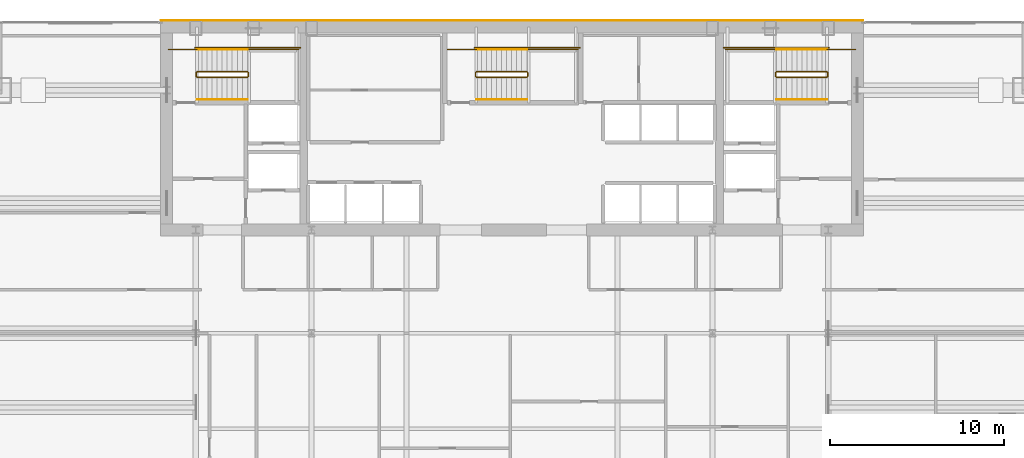
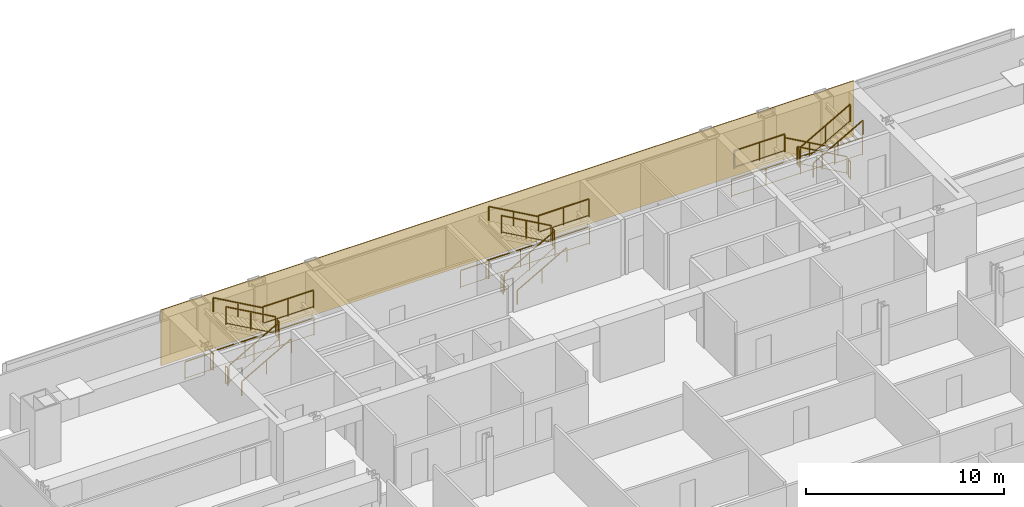
# One storey, part 30 of 30: 27 railings, 1 covering.
"""IFC4 building model written with IfcOpenShell, lengths in metres."""

from ifc_helpers import new_model, si_unit, direction, frame, origin, origin_2d, place, context, subcontext, project, spatial, polyline, rectangle, outline, extrude, material, layer, layer_set, type_object, element, save


model = new_model("IFC4")

# Units and contexts
model_context = context("Model", 3, precision=1e-05, world=origin(), true_north=direction((0.0, 1.0)))
body_context = subcontext(model_context, "Body", "Model", "MODEL_VIEW")
ifc_project = project(units=[si_unit("LENGTHUNIT", "METRE"), si_unit("AREAUNIT", "SQUARE_METRE"), si_unit("VOLUMEUNIT", "CUBIC_METRE"), si_unit("PLANEANGLEUNIT", "RADIAN"), si_unit("MASSUNIT", "GRAM", prefix="KILO")], contexts=[model_context])

# Site, building, storey
site_placement = place(None, origin())
site = spatial("IfcSite", under=ifc_project, at=site_placement, CompositionType="ELEMENT")
building_placement = place(site_placement, origin())
building = spatial("IfcBuilding", under=site, at=building_placement, Name="Khoronbel Lancet Exchange", CompositionType="ELEMENT")
storey_placement = place(building_placement, frame((0.0, 0.0, 132.60009765625)))
storey = spatial("IfcBuildingStorey", under=building, at=storey_placement, Name="L32", CompositionType="ELEMENT", Elevation=132.60009765625)

# Covering
ifc_material_1 = material(Name="Honed Egyptian Limestone & Bronze Rainscreen", Category="masonry")
ifc_layer = layer(ifc_material_1, 0.050048828125, Name="Honed Egyptian Limestone & Bronze Rainscreen")
ifc_layer_set = layer_set([ifc_layer], Name="Honed Egyptian Limestone & Bronze Rainscreen")
covering_type = type_object("IfcCoveringType", Name="COV-CLAD1", PredefinedType="CLADDING", material=ifc_layer_set)
covering_placement = place(storey_placement, origin())
element("IfcCovering", 1, at=covering_placement, inside=storey, type_object=covering_type, Name="Level L32 north rear-core stone and bronze rainscreen cladding", PredefinedType="CLADDING", context=body_context, shape_type="SweptSolid", body=[
    extrude(outline(polyline([(16.199951171875, 53.699951171875), (56.699951171875, 53.699951171875), (56.699951171875, 53.75), (16.199951171875, 53.75), (16.199951171875, 53.699951171875)])), origin(), (0.0, 0.0, 1.0), 3.43994140625),
])

# Railings
ifc_material_2 = material(Name="Painted Steel Balustrade", Category="steel")
railing_type_1 = type_object("IfcRailingType", Name="RL-STG110", PredefinedType="GUARDRAIL", material=ifc_material_2)
railing_1_placement = place(storey_placement, frame((18.300048828125, 50.449951171875, 0.16357421875)))
element("IfcRailing", 2, at=railing_1_placement, inside=storey, type_object=railing_type_1, Name="L32 ST1 stair guard 1", PredefinedType="GUARDRAIL", context=body_context, shape_type="SweptSolid", body=[
    extrude(rectangle(XDim=0.048095703125, YDim=0.048095703125, at=origin_2d()), frame((0.0, 0.0, 1.09619140625), z_axis=(0.870928581787, 0.0, 0.491409610636), x_axis=(0.0, 1.0, 0.0)), (0.0, 0.0, 1.0), 3.32958984375),
    extrude(rectangle(XDim=0.02392578125, YDim=0.02392578125, at=origin_2d()), frame((0.0, 0.0, 0.080078125), z_axis=(0.870928581787, 0.0, 0.491409610636), x_axis=(0.0, 1.0, 0.0)), (0.0, 0.0, 1.0), 3.32958984375),
    extrude(rectangle(XDim=0.0419921875, YDim=0.0419921875, at=origin_2d()), origin(), (0.0, 0.0, 1.0), 1.072021484375),
    extrude(rectangle(XDim=0.0419921875, YDim=0.0419921875, at=origin_2d()), frame((1.449951171875, 0.0, 0.818115234375)), (0.0, 0.0, 1.0), 1.072021484375),
    extrude(rectangle(XDim=0.0419921875, YDim=0.0419921875, at=origin_2d()), frame((2.89990234375, 0.0, 1.63623046875)), (0.0, 0.0, 1.0), 1.072021484375),
])
railing_2_placement = place(storey_placement, frame((21.25, 50.5, 1.7998046875)))
element("IfcRailing", 3, at=railing_2_placement, inside=storey, type_object=railing_type_1, Name="L32 ST1 stair guard 2", PredefinedType="GUARDRAIL", context=body_context, shape_type="SweptSolid", body=[
    extrude(rectangle(XDim=0.048095703125, YDim=0.048095703125, at=origin_2d()), frame((0.0, 0.0, 1.09619140625), z_axis=(0.0, 1.0, 0.0), x_axis=(-1.0, 0.0, 0.0)), (0.0, 0.0, 1.0), 0.219970703125),
    extrude(rectangle(XDim=0.02392578125, YDim=0.02392578125, at=origin_2d()), frame((0.0, 0.0, 0.080078125), z_axis=(0.0, 1.0, 0.0), x_axis=(-1.0, 0.0, 0.0)), (0.0, 0.0, 1.0), 0.219970703125),
    extrude(rectangle(XDim=0.0419921875, YDim=0.0419921875, at=origin_2d()), origin(), (0.0, 0.0, 1.0), 1.072021484375),
    extrude(rectangle(XDim=0.0419921875, YDim=0.0419921875, at=origin_2d()), frame((0.0, 0.219970703125, 0.0)), (0.0, 0.0, 1.0), 1.072021484375),
])
railing_3_placement = place(storey_placement, frame((21.199951171875, 52.050048828125, 1.7998046875)))
element("IfcRailing", 4, at=railing_3_placement, inside=storey, type_object=railing_type_1, Name="L32 ST1 stair guard 3", PredefinedType="GUARDRAIL", context=body_context, shape_type="SweptSolid", body=[
    extrude(rectangle(XDim=0.048095703125, YDim=0.048095703125, at=origin_2d()), frame((0.0, 0.0, 1.09619140625), z_axis=(1.0, 0.0, 0.0), x_axis=(0.0, 1.0, 0.0)), (0.0, 0.0, 1.0), 2.949951171875),
    extrude(rectangle(XDim=0.02392578125, YDim=0.02392578125, at=origin_2d()), frame((0.0, 0.0, 0.080078125), z_axis=(1.0, 0.0, 0.0), x_axis=(0.0, 1.0, 0.0)), (0.0, 0.0, 1.0), 2.949951171875),
    extrude(rectangle(XDim=0.0419921875, YDim=0.0419921875, at=origin_2d()), origin(), (0.0, 0.0, 1.0), 1.072021484375),
    extrude(rectangle(XDim=0.0419921875, YDim=0.0419921875, at=origin_2d()), frame((1.47509765625, 0.0, 0.0)), (0.0, 0.0, 1.0), 1.072021484375),
    extrude(rectangle(XDim=0.0419921875, YDim=0.0419921875, at=origin_2d()), frame((2.949951171875, 0.0, 0.0)), (0.0, 0.0, 1.0), 1.072021484375),
])
railing_4_placement = place(storey_placement, frame((21.199951171875, 50.77001953125, 1.963623046875)))
element("IfcRailing", 5, at=railing_4_placement, inside=storey, type_object=railing_type_1, Name="L32 ST1 stair guard 4", PredefinedType="GUARDRAIL", context=body_context, shape_type="SweptSolid", body=[
    extrude(rectangle(XDim=0.048095703125, YDim=0.048095703125, at=origin_2d()), frame((0.0, 0.0, 1.09619140625), z_axis=(-0.870928581787, 0.0, 0.491409610636), x_axis=(0.0, -1.0, 0.0)), (0.0, 0.0, 1.0), 3.32958984375),
    extrude(rectangle(XDim=0.02392578125, YDim=0.02392578125, at=origin_2d()), frame((0.0, 0.0, 0.080078125), z_axis=(-0.870928581787, 0.0, 0.491409610636), x_axis=(0.0, -1.0, 0.0)), (0.0, 0.0, 1.0), 3.32958984375),
    extrude(rectangle(XDim=0.0419921875, YDim=0.0419921875, at=origin_2d()), origin(), (0.0, 0.0, 1.0), 1.072021484375),
    extrude(rectangle(XDim=0.0419921875, YDim=0.0419921875, at=origin_2d()), frame((-1.449951171875, 0.0, 0.818115234375)), (0.0, 0.0, 1.0), 1.072021484375),
    extrude(rectangle(XDim=0.0419921875, YDim=0.0419921875, at=origin_2d()), frame((-2.89990234375, 0.0, 1.63623046875)), (0.0, 0.0, 1.0), 1.072021484375),
])
railing_5_placement = place(storey_placement, frame((18.25, 50.5, 0.0)))
element("IfcRailing", 6, at=railing_5_placement, inside=storey, type_object=railing_type_1, Name="L32 ST1 stair guard 5", PredefinedType="GUARDRAIL", context=body_context, shape_type="SweptSolid", body=[
    extrude(rectangle(XDim=0.048095703125, YDim=0.048095703125, at=origin_2d()), frame((0.0, 0.0, 1.09619140625), z_axis=(0.0, 1.0, 0.0), x_axis=(-1.0, 0.0, 0.0)), (0.0, 0.0, 1.0), 0.219970703125),
    extrude(rectangle(XDim=0.02392578125, YDim=0.02392578125, at=origin_2d()), frame((0.0, 0.0, 0.080078125), z_axis=(0.0, 1.0, 0.0), x_axis=(-1.0, 0.0, 0.0)), (0.0, 0.0, 1.0), 0.219970703125),
    extrude(rectangle(XDim=0.0419921875, YDim=0.0419921875, at=origin_2d()), origin(), (0.0, 0.0, 1.0), 1.072021484375),
    extrude(rectangle(XDim=0.0419921875, YDim=0.0419921875, at=origin_2d()), frame((0.0, 0.219970703125, 0.0)), (0.0, 0.0, 1.0), 1.072021484375),
])
railing_6_placement = place(storey_placement, frame((16.64990234375, 52.050048828125, 0.0)))
element("IfcRailing", 7, at=railing_6_placement, inside=storey, type_object=railing_type_1, Name="L32 ST1 stair guard 6", PredefinedType="GUARDRAIL", context=body_context, shape_type="SweptSolid", body=[
    extrude(rectangle(XDim=0.048095703125, YDim=0.048095703125, at=origin_2d()), frame((0.0, 0.0, 1.09619140625), z_axis=(1.0, 0.0, 0.0), x_axis=(0.0, 1.0, 0.0)), (0.0, 0.0, 1.0), 1.650146484375),
    extrude(rectangle(XDim=0.02392578125, YDim=0.02392578125, at=origin_2d()), frame((0.0, 0.0, 0.080078125), z_axis=(1.0, 0.0, 0.0), x_axis=(0.0, 1.0, 0.0)), (0.0, 0.0, 1.0), 1.650146484375),
    extrude(rectangle(XDim=0.0419921875, YDim=0.0419921875, at=origin_2d()), origin(), (0.0, 0.0, 1.0), 1.072021484375),
    extrude(rectangle(XDim=0.0419921875, YDim=0.0419921875, at=origin_2d()), frame((1.650146484375, 0.0, 0.0)), (0.0, 0.0, 1.0), 1.072021484375),
])
railing_7_placement = place(storey_placement, frame((18.199951171875, 52.14990234375, 0.0)))
element("IfcRailing", 8, at=railing_7_placement, inside=storey, type_object=railing_type_1, Name="L32 ST1 stair guard 7", PredefinedType="GUARDRAIL", context=body_context, shape_type="SweptSolid", body=[
    extrude(rectangle(XDim=0.048095703125, YDim=0.048095703125, at=origin_2d()), frame((0.0, 0.0, 1.09619140625), z_axis=(1.0, 0.0, 0.0), x_axis=(0.0, 1.0, 0.0)), (0.0, 0.0, 1.0), 6.050048828125),
    extrude(rectangle(XDim=0.02392578125, YDim=0.02392578125, at=origin_2d()), frame((0.0, 0.0, 0.080078125), z_axis=(1.0, 0.0, 0.0), x_axis=(0.0, 1.0, 0.0)), (0.0, 0.0, 1.0), 6.050048828125),
    extrude(rectangle(XDim=0.0419921875, YDim=0.0419921875, at=origin_2d()), origin(), (0.0, 0.0, 1.0), 1.072021484375),
    extrude(rectangle(XDim=0.0419921875, YDim=0.0419921875, at=origin_2d()), frame((2.0166015625, 0.0, 0.0)), (0.0, 0.0, 1.0), 1.072021484375),
    extrude(rectangle(XDim=0.0419921875, YDim=0.0419921875, at=origin_2d()), frame((4.033447265625, 0.0, 0.0)), (0.0, 0.0, 1.0), 1.072021484375),
    extrude(rectangle(XDim=0.0419921875, YDim=0.0419921875, at=origin_2d()), frame((6.050048828125, 0.0, 0.0)), (0.0, 0.0, 1.0), 1.072021484375),
])
railing_8_placement = place(storey_placement, frame((54.60009765625, 50.77001953125, 0.16357421875)))
element("IfcRailing", 9, at=railing_8_placement, inside=storey, type_object=railing_type_1, Name="L32 ST2 stair guard 1", PredefinedType="GUARDRAIL", context=body_context, shape_type="SweptSolid", body=[
    extrude(rectangle(XDim=0.048095703125, YDim=0.048095703125, at=origin_2d()), frame((0.0, 0.0, 1.09619140625), z_axis=(-0.870946286338, 0.0, 0.49137823142), x_axis=(0.0, -1.0, 0.0)), (0.0, 0.0, 1.0), 3.329833984375),
    extrude(rectangle(XDim=0.02392578125, YDim=0.02392578125, at=origin_2d()), frame((0.0, 0.0, 0.080078125), z_axis=(-0.870946286338, 0.0, 0.49137823142), x_axis=(0.0, -1.0, 0.0)), (0.0, 0.0, 1.0), 3.329833984375),
    extrude(rectangle(XDim=0.0419921875, YDim=0.0419921875, at=origin_2d()), origin(), (0.0, 0.0, 1.0), 1.072021484375),
    extrude(rectangle(XDim=0.0419921875, YDim=0.0419921875, at=origin_2d()), frame((-1.4501953125, 0.0, 0.818115234375)), (0.0, 0.0, 1.0), 1.072021484375),
    extrude(rectangle(XDim=0.0419921875, YDim=0.0419921875, at=origin_2d()), frame((-2.900146484375, 0.0, 1.63623046875)), (0.0, 0.0, 1.0), 1.072021484375),
])
railing_9_placement = place(storey_placement, frame((51.64990234375, 50.719970703125, 1.7998046875)))
element("IfcRailing", 10, at=railing_9_placement, inside=storey, type_object=railing_type_1, Name="L32 ST2 stair guard 2", PredefinedType="GUARDRAIL", context=body_context, shape_type="SweptSolid", body=[
    extrude(rectangle(XDim=0.048095703125, YDim=0.048095703125, at=origin_2d()), frame((0.0, 0.0, 1.09619140625), z_axis=(0.0, -1.0, 0.0), x_axis=(1.0, 0.0, 0.0)), (0.0, 0.0, 1.0), 0.219970703125),
    extrude(rectangle(XDim=0.02392578125, YDim=0.02392578125, at=origin_2d()), frame((0.0, 0.0, 0.080078125), z_axis=(0.0, -1.0, 0.0), x_axis=(1.0, 0.0, 0.0)), (0.0, 0.0, 1.0), 0.219970703125),
    extrude(rectangle(XDim=0.0419921875, YDim=0.0419921875, at=origin_2d()), origin(), (0.0, 0.0, 1.0), 1.072021484375),
    extrude(rectangle(XDim=0.0419921875, YDim=0.0419921875, at=origin_2d()), frame((0.0, -0.219970703125, 0.0)), (0.0, 0.0, 1.0), 1.072021484375),
])
railing_10_placement = place(storey_placement, frame((51.699951171875, 52.050048828125, 1.7998046875)))
element("IfcRailing", 11, at=railing_10_placement, inside=storey, type_object=railing_type_1, Name="L32 ST2 stair guard 3", PredefinedType="GUARDRAIL", context=body_context, shape_type="SweptSolid", body=[
    extrude(rectangle(XDim=0.048095703125, YDim=0.048095703125, at=origin_2d()), frame((0.0, 0.0, 1.09619140625), z_axis=(-1.0, 0.0, 0.0), x_axis=(0.0, -1.0, 0.0)), (0.0, 0.0, 1.0), 2.949951171875),
    extrude(rectangle(XDim=0.02392578125, YDim=0.02392578125, at=origin_2d()), frame((0.0, 0.0, 0.080078125), z_axis=(-1.0, 0.0, 0.0), x_axis=(0.0, -1.0, 0.0)), (0.0, 0.0, 1.0), 2.949951171875),
    extrude(rectangle(XDim=0.0419921875, YDim=0.0419921875, at=origin_2d()), origin(), (0.0, 0.0, 1.0), 1.072021484375),
    extrude(rectangle(XDim=0.0419921875, YDim=0.0419921875, at=origin_2d()), frame((-1.47509765625, 0.0, 0.0)), (0.0, 0.0, 1.0), 1.072021484375),
    extrude(rectangle(XDim=0.0419921875, YDim=0.0419921875, at=origin_2d()), frame((-2.949951171875, 0.0, 0.0)), (0.0, 0.0, 1.0), 1.072021484375),
])
railing_11_placement = place(storey_placement, frame((51.699951171875, 50.449951171875, 1.963623046875)))
element("IfcRailing", 12, at=railing_11_placement, inside=storey, type_object=railing_type_1, Name="L32 ST2 stair guard 4", PredefinedType="GUARDRAIL", context=body_context, shape_type="SweptSolid", body=[
    extrude(rectangle(XDim=0.048095703125, YDim=0.048095703125, at=origin_2d()), frame((0.0, 0.0, 1.09619140625), z_axis=(0.870946286338, 0.0, 0.49137823142), x_axis=(0.0, 1.0, 0.0)), (0.0, 0.0, 1.0), 3.329833984375),
    extrude(rectangle(XDim=0.02392578125, YDim=0.02392578125, at=origin_2d()), frame((0.0, 0.0, 0.080078125), z_axis=(0.870946286338, 0.0, 0.49137823142), x_axis=(0.0, 1.0, 0.0)), (0.0, 0.0, 1.0), 3.329833984375),
    extrude(rectangle(XDim=0.0419921875, YDim=0.0419921875, at=origin_2d()), origin(), (0.0, 0.0, 1.0), 1.072021484375),
    extrude(rectangle(XDim=0.0419921875, YDim=0.0419921875, at=origin_2d()), frame((1.4501953125, 0.0, 0.818115234375)), (0.0, 0.0, 1.0), 1.072021484375),
    extrude(rectangle(XDim=0.0419921875, YDim=0.0419921875, at=origin_2d()), frame((2.900146484375, 0.0, 1.63623046875)), (0.0, 0.0, 1.0), 1.072021484375),
])
railing_12_placement = place(storey_placement, frame((54.64990234375, 50.719970703125, 0.0)))
element("IfcRailing", 13, at=railing_12_placement, inside=storey, type_object=railing_type_1, Name="L32 ST2 stair guard 5", PredefinedType="GUARDRAIL", context=body_context, shape_type="SweptSolid", body=[
    extrude(rectangle(XDim=0.048095703125, YDim=0.048095703125, at=origin_2d()), frame((0.0, 0.0, 1.09619140625), z_axis=(0.0, -1.0, 0.0), x_axis=(1.0, 0.0, 0.0)), (0.0, 0.0, 1.0), 0.219970703125),
    extrude(rectangle(XDim=0.02392578125, YDim=0.02392578125, at=origin_2d()), frame((0.0, 0.0, 0.080078125), z_axis=(0.0, -1.0, 0.0), x_axis=(1.0, 0.0, 0.0)), (0.0, 0.0, 1.0), 0.219970703125),
    extrude(rectangle(XDim=0.0419921875, YDim=0.0419921875, at=origin_2d()), origin(), (0.0, 0.0, 1.0), 1.072021484375),
    extrude(rectangle(XDim=0.0419921875, YDim=0.0419921875, at=origin_2d()), frame((0.0, -0.219970703125, 0.0)), (0.0, 0.0, 1.0), 1.072021484375),
])
railing_13_placement = place(storey_placement, frame((56.25, 52.050048828125, 0.0)))
element("IfcRailing", 14, at=railing_13_placement, inside=storey, type_object=railing_type_1, Name="L32 ST2 stair guard 6", PredefinedType="GUARDRAIL", context=body_context, shape_type="SweptSolid", body=[
    extrude(rectangle(XDim=0.048095703125, YDim=0.048095703125, at=origin_2d()), frame((0.0, 0.0, 1.09619140625), z_axis=(-1.0, 0.0, 0.0), x_axis=(0.0, -1.0, 0.0)), (0.0, 0.0, 1.0), 1.64990234375),
    extrude(rectangle(XDim=0.02392578125, YDim=0.02392578125, at=origin_2d()), frame((0.0, 0.0, 0.080078125), z_axis=(-1.0, 0.0, 0.0), x_axis=(0.0, -1.0, 0.0)), (0.0, 0.0, 1.0), 1.64990234375),
    extrude(rectangle(XDim=0.0419921875, YDim=0.0419921875, at=origin_2d()), origin(), (0.0, 0.0, 1.0), 1.072021484375),
    extrude(rectangle(XDim=0.0419921875, YDim=0.0419921875, at=origin_2d()), frame((-1.64990234375, 0.0, 0.0)), (0.0, 0.0, 1.0), 1.072021484375),
])
railing_14_placement = place(storey_placement, frame((54.699951171875, 52.14990234375, 0.0)))
element("IfcRailing", 15, at=railing_14_placement, inside=storey, type_object=railing_type_1, Name="L32 ST2 stair guard 7", PredefinedType="GUARDRAIL", context=body_context, shape_type="SweptSolid", body=[
    extrude(rectangle(XDim=0.048095703125, YDim=0.048095703125, at=origin_2d()), frame((0.0, 0.0, 1.09619140625), z_axis=(-1.0, 0.0, 0.0), x_axis=(0.0, -1.0, 0.0)), (0.0, 0.0, 1.0), 6.050048828125),
    extrude(rectangle(XDim=0.02392578125, YDim=0.02392578125, at=origin_2d()), frame((0.0, 0.0, 0.080078125), z_axis=(-1.0, 0.0, 0.0), x_axis=(0.0, -1.0, 0.0)), (0.0, 0.0, 1.0), 6.050048828125),
    extrude(rectangle(XDim=0.0419921875, YDim=0.0419921875, at=origin_2d()), origin(), (0.0, 0.0, 1.0), 1.072021484375),
    extrude(rectangle(XDim=0.0419921875, YDim=0.0419921875, at=origin_2d()), frame((-2.0166015625, 0.0, 0.0)), (0.0, 0.0, 1.0), 1.072021484375),
    extrude(rectangle(XDim=0.0419921875, YDim=0.0419921875, at=origin_2d()), frame((-4.033447265625, 0.0, 0.0)), (0.0, 0.0, 1.0), 1.072021484375),
    extrude(rectangle(XDim=0.0419921875, YDim=0.0419921875, at=origin_2d()), frame((-6.050048828125, 0.0, 0.0)), (0.0, 0.0, 1.0), 1.072021484375),
])
railing_15_placement = place(storey_placement, frame((34.39990234375, 50.449951171875, 0.16357421875)))
element("IfcRailing", 16, at=railing_15_placement, inside=storey, type_object=railing_type_1, Name="L32 ST3 stair guard 1", PredefinedType="GUARDRAIL", context=body_context, shape_type="SweptSolid", body=[
    extrude(rectangle(XDim=0.048095703125, YDim=0.048095703125, at=origin_2d()), frame((0.0, 0.0, 1.09619140625), z_axis=(0.870946286338, 0.0, 0.49137823142), x_axis=(0.0, 1.0, 0.0)), (0.0, 0.0, 1.0), 3.329833984375),
    extrude(rectangle(XDim=0.02392578125, YDim=0.02392578125, at=origin_2d()), frame((0.0, 0.0, 0.080078125), z_axis=(0.870946286338, 0.0, 0.49137823142), x_axis=(0.0, 1.0, 0.0)), (0.0, 0.0, 1.0), 3.329833984375),
    extrude(rectangle(XDim=0.0419921875, YDim=0.0419921875, at=origin_2d()), origin(), (0.0, 0.0, 1.0), 1.072021484375),
    extrude(rectangle(XDim=0.0419921875, YDim=0.0419921875, at=origin_2d()), frame((1.4501953125, 0.0, 0.818115234375)), (0.0, 0.0, 1.0), 1.072021484375),
    extrude(rectangle(XDim=0.0419921875, YDim=0.0419921875, at=origin_2d()), frame((2.900146484375, 0.0, 1.63623046875)), (0.0, 0.0, 1.0), 1.072021484375),
])
railing_16_placement = place(storey_placement, frame((37.35009765625, 50.5, 1.7998046875)))
element("IfcRailing", 17, at=railing_16_placement, inside=storey, type_object=railing_type_1, Name="L32 ST3 stair guard 2", PredefinedType="GUARDRAIL", context=body_context, shape_type="SweptSolid", body=[
    extrude(rectangle(XDim=0.048095703125, YDim=0.048095703125, at=origin_2d()), frame((0.0, 0.0, 1.09619140625), z_axis=(0.0, 1.0, 0.0), x_axis=(-1.0, 0.0, 0.0)), (0.0, 0.0, 1.0), 0.219970703125),
    extrude(rectangle(XDim=0.02392578125, YDim=0.02392578125, at=origin_2d()), frame((0.0, 0.0, 0.080078125), z_axis=(0.0, 1.0, 0.0), x_axis=(-1.0, 0.0, 0.0)), (0.0, 0.0, 1.0), 0.219970703125),
    extrude(rectangle(XDim=0.0419921875, YDim=0.0419921875, at=origin_2d()), origin(), (0.0, 0.0, 1.0), 1.072021484375),
    extrude(rectangle(XDim=0.0419921875, YDim=0.0419921875, at=origin_2d()), frame((0.0, 0.219970703125, 0.0)), (0.0, 0.0, 1.0), 1.072021484375),
])
railing_17_placement = place(storey_placement, frame((37.300048828125, 52.050048828125, 1.7998046875)))
element("IfcRailing", 18, at=railing_17_placement, inside=storey, type_object=railing_type_1, Name="L32 ST3 stair guard 3", PredefinedType="GUARDRAIL", context=body_context, shape_type="SweptSolid", body=[
    extrude(rectangle(XDim=0.048095703125, YDim=0.048095703125, at=origin_2d()), frame((0.0, 0.0, 1.09619140625), z_axis=(1.0, 0.0, 0.0), x_axis=(0.0, 1.0, 0.0)), (0.0, 0.0, 1.0), 2.949951171875),
    extrude(rectangle(XDim=0.02392578125, YDim=0.02392578125, at=origin_2d()), frame((0.0, 0.0, 0.080078125), z_axis=(1.0, 0.0, 0.0), x_axis=(0.0, 1.0, 0.0)), (0.0, 0.0, 1.0), 2.949951171875),
    extrude(rectangle(XDim=0.0419921875, YDim=0.0419921875, at=origin_2d()), origin(), (0.0, 0.0, 1.0), 1.072021484375),
    extrude(rectangle(XDim=0.0419921875, YDim=0.0419921875, at=origin_2d()), frame((1.47509765625, 0.0, 0.0)), (0.0, 0.0, 1.0), 1.072021484375),
    extrude(rectangle(XDim=0.0419921875, YDim=0.0419921875, at=origin_2d()), frame((2.949951171875, 0.0, 0.0)), (0.0, 0.0, 1.0), 1.072021484375),
])
railing_18_placement = place(storey_placement, frame((37.300048828125, 50.77001953125, 1.963623046875)))
element("IfcRailing", 19, at=railing_18_placement, inside=storey, type_object=railing_type_1, Name="L32 ST3 stair guard 4", PredefinedType="GUARDRAIL", context=body_context, shape_type="SweptSolid", body=[
    extrude(rectangle(XDim=0.048095703125, YDim=0.048095703125, at=origin_2d()), frame((0.0, 0.0, 1.09619140625), z_axis=(-0.870946286338, 0.0, 0.49137823142), x_axis=(0.0, -1.0, 0.0)), (0.0, 0.0, 1.0), 3.329833984375),
    extrude(rectangle(XDim=0.02392578125, YDim=0.02392578125, at=origin_2d()), frame((0.0, 0.0, 0.080078125), z_axis=(-0.870946286338, 0.0, 0.49137823142), x_axis=(0.0, -1.0, 0.0)), (0.0, 0.0, 1.0), 3.329833984375),
    extrude(rectangle(XDim=0.0419921875, YDim=0.0419921875, at=origin_2d()), origin(), (0.0, 0.0, 1.0), 1.072021484375),
    extrude(rectangle(XDim=0.0419921875, YDim=0.0419921875, at=origin_2d()), frame((-1.4501953125, 0.0, 0.818115234375)), (0.0, 0.0, 1.0), 1.072021484375),
    extrude(rectangle(XDim=0.0419921875, YDim=0.0419921875, at=origin_2d()), frame((-2.900146484375, 0.0, 1.63623046875)), (0.0, 0.0, 1.0), 1.072021484375),
])
railing_19_placement = place(storey_placement, frame((34.35009765625, 50.5, 0.0)))
element("IfcRailing", 20, at=railing_19_placement, inside=storey, type_object=railing_type_1, Name="L32 ST3 stair guard 5", PredefinedType="GUARDRAIL", context=body_context, shape_type="SweptSolid", body=[
    extrude(rectangle(XDim=0.048095703125, YDim=0.048095703125, at=origin_2d()), frame((0.0, 0.0, 1.09619140625), z_axis=(0.0, 1.0, 0.0), x_axis=(-1.0, 0.0, 0.0)), (0.0, 0.0, 1.0), 0.219970703125),
    extrude(rectangle(XDim=0.02392578125, YDim=0.02392578125, at=origin_2d()), frame((0.0, 0.0, 0.080078125), z_axis=(0.0, 1.0, 0.0), x_axis=(-1.0, 0.0, 0.0)), (0.0, 0.0, 1.0), 0.219970703125),
    extrude(rectangle(XDim=0.0419921875, YDim=0.0419921875, at=origin_2d()), origin(), (0.0, 0.0, 1.0), 1.072021484375),
    extrude(rectangle(XDim=0.0419921875, YDim=0.0419921875, at=origin_2d()), frame((0.0, 0.219970703125, 0.0)), (0.0, 0.0, 1.0), 1.072021484375),
])
railing_20_placement = place(storey_placement, frame((32.75, 52.050048828125, 0.0)))
element("IfcRailing", 21, at=railing_20_placement, inside=storey, type_object=railing_type_1, Name="L32 ST3 stair guard 6", PredefinedType="GUARDRAIL", context=body_context, shape_type="SweptSolid", body=[
    extrude(rectangle(XDim=0.048095703125, YDim=0.048095703125, at=origin_2d()), frame((0.0, 0.0, 1.09619140625), z_axis=(1.0, 0.0, 0.0), x_axis=(0.0, 1.0, 0.0)), (0.0, 0.0, 1.0), 1.64990234375),
    extrude(rectangle(XDim=0.02392578125, YDim=0.02392578125, at=origin_2d()), frame((0.0, 0.0, 0.080078125), z_axis=(1.0, 0.0, 0.0), x_axis=(0.0, 1.0, 0.0)), (0.0, 0.0, 1.0), 1.64990234375),
    extrude(rectangle(XDim=0.0419921875, YDim=0.0419921875, at=origin_2d()), origin(), (0.0, 0.0, 1.0), 1.072021484375),
    extrude(rectangle(XDim=0.0419921875, YDim=0.0419921875, at=origin_2d()), frame((1.64990234375, 0.0, 0.0)), (0.0, 0.0, 1.0), 1.072021484375),
])
railing_21_placement = place(storey_placement, frame((34.300048828125, 52.14990234375, 0.0)))
element("IfcRailing", 22, at=railing_21_placement, inside=storey, type_object=railing_type_1, Name="L32 ST3 stair guard 7", PredefinedType="GUARDRAIL", context=body_context, shape_type="SweptSolid", body=[
    extrude(rectangle(XDim=0.048095703125, YDim=0.048095703125, at=origin_2d()), frame((0.0, 0.0, 1.09619140625), z_axis=(1.0, 0.0, 0.0), x_axis=(0.0, 1.0, 0.0)), (0.0, 0.0, 1.0), 6.050048828125),
    extrude(rectangle(XDim=0.02392578125, YDim=0.02392578125, at=origin_2d()), frame((0.0, 0.0, 0.080078125), z_axis=(1.0, 0.0, 0.0), x_axis=(0.0, 1.0, 0.0)), (0.0, 0.0, 1.0), 6.050048828125),
    extrude(rectangle(XDim=0.0419921875, YDim=0.0419921875, at=origin_2d()), origin(), (0.0, 0.0, 1.0), 1.072021484375),
    extrude(rectangle(XDim=0.0419921875, YDim=0.0419921875, at=origin_2d()), frame((2.0166015625, 0.0, 0.0)), (0.0, 0.0, 1.0), 1.072021484375),
    extrude(rectangle(XDim=0.0419921875, YDim=0.0419921875, at=origin_2d()), frame((4.033447265625, 0.0, 0.0)), (0.0, 0.0, 1.0), 1.072021484375),
    extrude(rectangle(XDim=0.0419921875, YDim=0.0419921875, at=origin_2d()), frame((6.050048828125, 0.0, 0.0)), (0.0, 0.0, 1.0), 1.072021484375),
])
ifc_material_3 = material(Name="Brushed Stainless Steel 316", Category="steel")
railing_type_2 = type_object("IfcRailingType", Name="RL-STH92", PredefinedType="HANDRAIL", material=ifc_material_3)
railing_22_placement = place(storey_placement, frame((18.300048828125, 49.169921875, 0.16357421875)))
element("IfcRailing", 23, at=railing_22_placement, inside=storey, type_object=railing_type_2, Name="L32 ST1 stair handrail 1", PredefinedType="HANDRAIL", context=body_context, shape_type="SweptSolid", body=[
    extrude(rectangle(XDim=0.048095703125, YDim=0.048095703125, at=origin_2d()), frame((0.0, 0.0, 0.8759765625), z_axis=(0.870928581787, 0.0, 0.491409610636), x_axis=(0.0, 1.0, 0.0)), (0.0, 0.0, 1.0), 3.32958984375),
    extrude(rectangle(XDim=0.0419921875, YDim=0.0419921875, at=origin_2d()), origin(), (0.0, 0.0, 1.0), 0.851806640625),
    extrude(rectangle(XDim=0.0419921875, YDim=0.0419921875, at=origin_2d()), frame((1.449951171875, 0.0, 0.818115234375)), (0.0, 0.0, 1.0), 0.851806640625),
    extrude(rectangle(XDim=0.0419921875, YDim=0.0419921875, at=origin_2d()), frame((2.89990234375, 0.0, 1.63623046875)), (0.0, 0.0, 1.0), 0.851806640625),
])
railing_23_placement = place(storey_placement, frame((21.199951171875, 52.050048828125, 1.963623046875)))
element("IfcRailing", 24, at=railing_23_placement, inside=storey, type_object=railing_type_2, Name="L32 ST1 stair handrail 2", PredefinedType="HANDRAIL", context=body_context, shape_type="SweptSolid", body=[
    extrude(rectangle(XDim=0.048095703125, YDim=0.048095703125, at=origin_2d()), frame((0.0, 0.0, 0.8759765625), z_axis=(-0.870928581787, 0.0, 0.491409610636), x_axis=(0.0, -1.0, 0.0)), (0.0, 0.0, 1.0), 3.32958984375),
    extrude(rectangle(XDim=0.0419921875, YDim=0.0419921875, at=origin_2d()), origin(), (0.0, 0.0, 1.0), 0.851806640625),
    extrude(rectangle(XDim=0.0419921875, YDim=0.0419921875, at=origin_2d()), frame((-1.449951171875, 0.0, 0.818115234375)), (0.0, 0.0, 1.0), 0.851806640625),
    extrude(rectangle(XDim=0.0419921875, YDim=0.0419921875, at=origin_2d()), frame((-2.89990234375, 0.0, 1.63623046875)), (0.0, 0.0, 1.0), 0.851806640625),
])
railing_24_placement = place(storey_placement, frame((54.60009765625, 52.050048828125, 0.16357421875)))
element("IfcRailing", 25, at=railing_24_placement, inside=storey, type_object=railing_type_2, Name="L32 ST2 stair handrail 1", PredefinedType="HANDRAIL", context=body_context, shape_type="SweptSolid", body=[
    extrude(rectangle(XDim=0.048095703125, YDim=0.048095703125, at=origin_2d()), frame((0.0, 0.0, 0.8759765625), z_axis=(-0.870946286338, 0.0, 0.49137823142), x_axis=(0.0, -1.0, 0.0)), (0.0, 0.0, 1.0), 3.329833984375),
    extrude(rectangle(XDim=0.0419921875, YDim=0.0419921875, at=origin_2d()), origin(), (0.0, 0.0, 1.0), 0.851806640625),
    extrude(rectangle(XDim=0.0419921875, YDim=0.0419921875, at=origin_2d()), frame((-1.4501953125, 0.0, 0.818115234375)), (0.0, 0.0, 1.0), 0.851806640625),
    extrude(rectangle(XDim=0.0419921875, YDim=0.0419921875, at=origin_2d()), frame((-2.900146484375, 0.0, 1.63623046875)), (0.0, 0.0, 1.0), 0.851806640625),
])
for number, where, name in (
    (26, (51.699951171875, 49.169921875, 1.963623046875), "L32 ST2 stair handrail 2"),
    (27, (34.39990234375, 49.169921875, 0.16357421875), "L32 ST3 stair handrail 1"),
):
    element("IfcRailing", number, at=place(storey_placement, frame(where)), inside=storey, type_object=railing_type_2, Name=name, PredefinedType="HANDRAIL", context=body_context, shape_type="SweptSolid", body=[
        extrude(rectangle(XDim=0.048095703125, YDim=0.048095703125, at=origin_2d()), frame((0.0, 0.0, 0.8759765625), z_axis=(0.870946286338, 0.0, 0.49137823142), x_axis=(0.0, 1.0, 0.0)), (0.0, 0.0, 1.0), 3.329833984375),
        extrude(rectangle(XDim=0.0419921875, YDim=0.0419921875, at=origin_2d()), origin(), (0.0, 0.0, 1.0), 0.851806640625),
        extrude(rectangle(XDim=0.0419921875, YDim=0.0419921875, at=origin_2d()), frame((1.4501953125, 0.0, 0.818115234375)), (0.0, 0.0, 1.0), 0.851806640625),
        extrude(rectangle(XDim=0.0419921875, YDim=0.0419921875, at=origin_2d()), frame((2.900146484375, 0.0, 1.63623046875)), (0.0, 0.0, 1.0), 0.851806640625),
    ])
railing_25_placement = place(storey_placement, frame((37.300048828125, 52.050048828125, 1.963623046875)))
element("IfcRailing", 28, at=railing_25_placement, inside=storey, type_object=railing_type_2, Name="L32 ST3 stair handrail 2", PredefinedType="HANDRAIL", context=body_context, shape_type="SweptSolid", body=[
    extrude(rectangle(XDim=0.048095703125, YDim=0.048095703125, at=origin_2d()), frame((0.0, 0.0, 0.8759765625), z_axis=(-0.870946286338, 0.0, 0.49137823142), x_axis=(0.0, -1.0, 0.0)), (0.0, 0.0, 1.0), 3.329833984375),
    extrude(rectangle(XDim=0.0419921875, YDim=0.0419921875, at=origin_2d()), origin(), (0.0, 0.0, 1.0), 0.851806640625),
    extrude(rectangle(XDim=0.0419921875, YDim=0.0419921875, at=origin_2d()), frame((-1.4501953125, 0.0, 0.818115234375)), (0.0, 0.0, 1.0), 0.851806640625),
    extrude(rectangle(XDim=0.0419921875, YDim=0.0419921875, at=origin_2d()), frame((-2.900146484375, 0.0, 1.63623046875)), (0.0, 0.0, 1.0), 0.851806640625),
])

save(model, "model.ifc")
